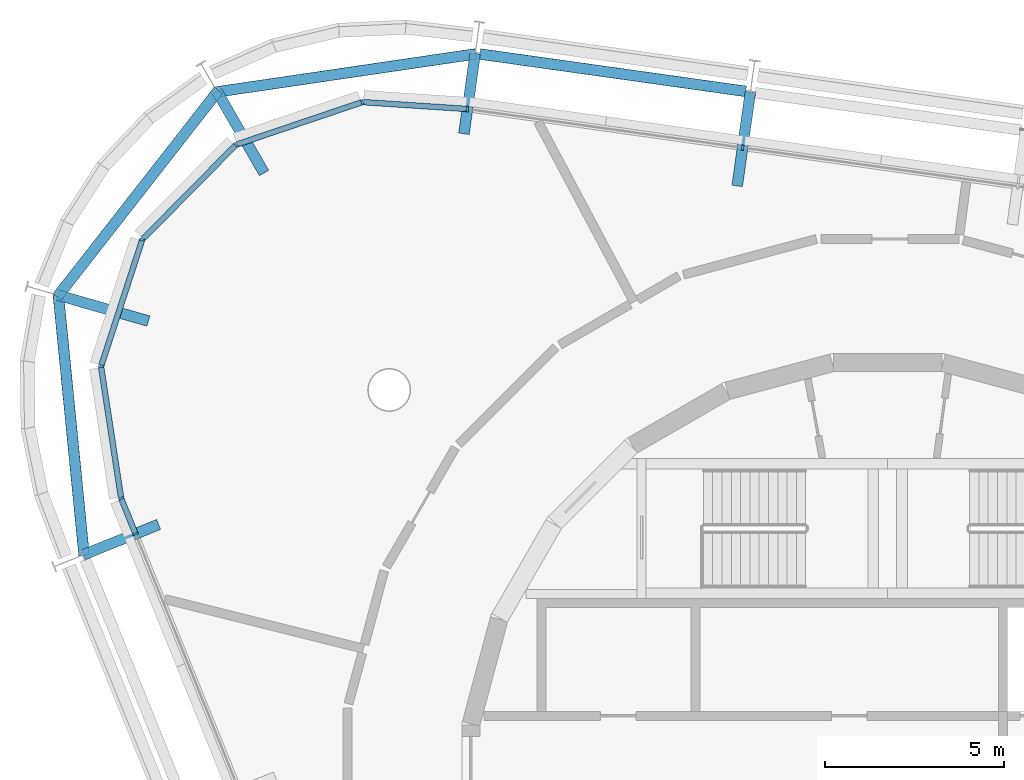
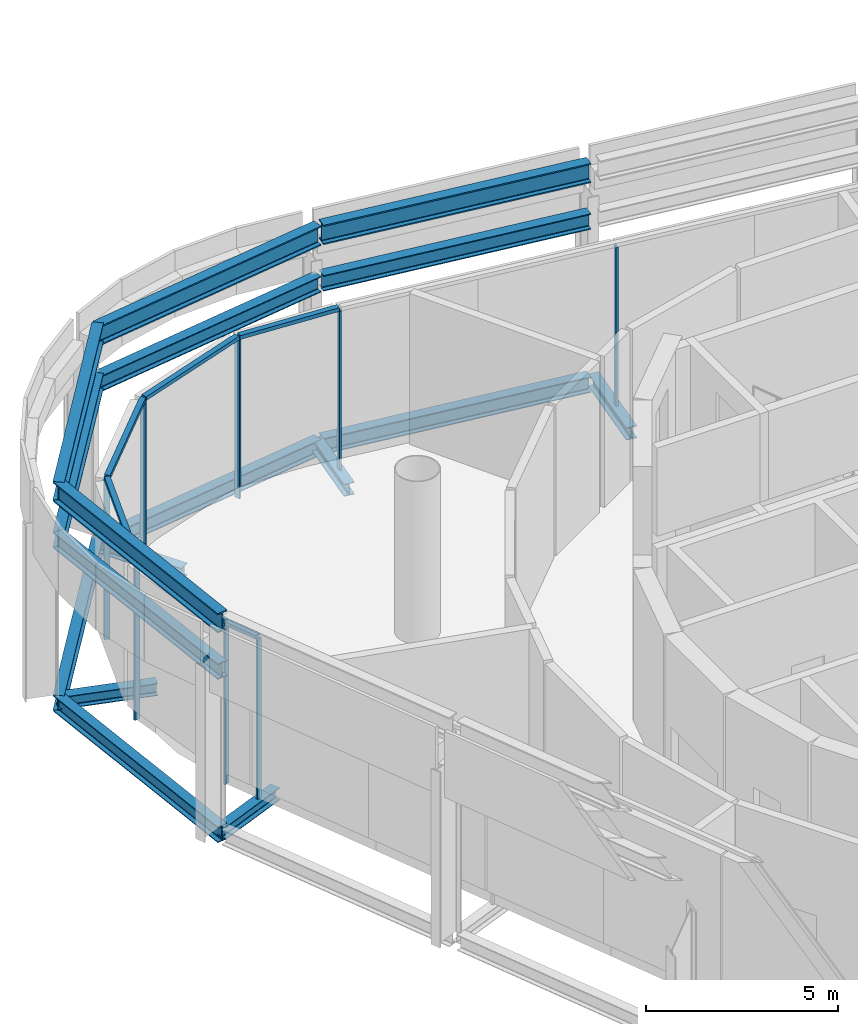
# One storey, part 5 of 15: 17 beams, 14 members, 3 elements without a shape of their own.
"""IFC4 building model written with IfcOpenShell, lengths in metres."""

from ifc_helpers import new_model, si_unit, direction, frame, origin, origin_2d, place, context, subcontext, project, spatial, rectangle, i_section, extrude, material, layer, layer_set, material_profile, profile_set, type_object, element, aggregate, save


model = new_model("IFC4")

# Units and contexts
model_context = context("Model", 3, precision=1e-05, world=origin(), true_north=direction((0.0, 1.0)))
body_context = subcontext(model_context, "Body", "Model", "MODEL_VIEW")
ifc_project = project(units=[si_unit("LENGTHUNIT", "METRE"), si_unit("AREAUNIT", "SQUARE_METRE"), si_unit("VOLUMEUNIT", "CUBIC_METRE"), si_unit("PLANEANGLEUNIT", "RADIAN"), si_unit("MASSUNIT", "GRAM", prefix="KILO")], contexts=[model_context])

# Site, building, storey
site_placement = place(None, origin())
site = spatial("IfcSite", under=ifc_project, at=site_placement, CompositionType="ELEMENT")
building_placement = place(site_placement, origin())
building = spatial("IfcBuilding", under=site, at=building_placement, Name="Spindle Arch Residences", CompositionType="ELEMENT")
storey_placement = place(building_placement, frame((0.0, 0.0, 366.199951171875)))
storey = spatial("IfcBuildingStorey", under=building, at=storey_placement, Name="L94", CompositionType="ELEMENT", Elevation=366.199951171875)

# Curtain wall, member
ifc_material_1 = material(Name="Aluminium bronze unitised frame with tinted glass", Category="aluminium")
ifc_layer = layer(ifc_material_1, 0.159912109375)
ifc_layer_set = layer_set([ifc_layer], Name="CW-F crown plant glazed wall")
curtain_wall_type = type_object("IfcCurtainWallType", Name="CW-F crown plant glazed wall", PredefinedType="NOTDEFINED", material=ifc_layer_set)
curtain_wall_1_placement = place(storey_placement, origin())
curtain_wall_1 = element("IfcCurtainWall", 1, at=curtain_wall_1_placement, inside=storey, type_object=curtain_wall_type, Name="CW-F L94 run 2", PredefinedType="NOTDEFINED")
ifc_material_2 = material(Name="Aluminium bronze anodised mullion", Category="aluminium")
ifc_material_profile_1 = material_profile(ifc_material_2, rectangle(XDim=0.159912109375, YDim=0.06005859375, at=origin_2d()), Name="MU 60x160")
ifc_profile_set_1 = profile_set([ifc_material_profile_1], Name="Aluminium bronze anodised mullion")
member_type_1 = type_object("IfcMemberType", Name="Bronze mullion 60x160", PredefinedType="MULLION", material=ifc_profile_set_1)
member_1_placement = place(storey_placement, frame((-4.0537109375, 17.654296875, -0.3798828125), z_axis=(0.0, 0.0, 1.0), x_axis=(-0.13917310096, -0.990268068742, 0.0)))
member_1 = element("IfcMember", 2, at=member_1_placement, type_object=member_type_1, Name="CW-F mullion 07", PredefinedType="MULLION", context=body_context, shape_type="SweptSolid", body=[
    extrude(rectangle(XDim=0.159912109375, YDim=0.06005859375, at=origin_2d()), origin(), (0.0, 0.0, 1.0), 5.059814453125),
])
aggregate(curtain_wall_1, [member_1])

# Curtain wall, members
curtain_wall_2_placement = place(storey_placement, origin())
curtain_wall_2 = element("IfcCurtainWall", 3, at=curtain_wall_2_placement, inside=storey, type_object=curtain_wall_type, Name="CW-F L94 run 3", PredefinedType="NOTDEFINED")
member_2_placement = place(storey_placement, frame((-11.74365234375, 18.735107421875, -0.3798828125), z_axis=(0.0, 0.0, 1.0), x_axis=(-0.065509719587, -0.99785193122, 0.0)))
member_2 = element("IfcMember", 4, at=member_2_placement, type_object=member_type_1, Name="CW-F mullion 00", PredefinedType="MULLION", context=body_context, shape_type="SweptSolid", body=[
    extrude(rectangle(XDim=0.159912109375, YDim=0.06005859375, at=origin_2d()), origin(), (0.0, 0.0, 1.0), 5.059814453125),
])
member_3_placement = place(storey_placement, frame((-14.6806640625, 18.927978515625, -0.3798828125), z_axis=(0.0, 0.0, 1.0), x_axis=(0.320061877599, -0.947396640541, 0.0)))
member_3 = element("IfcMember", 5, at=member_3_placement, type_object=member_type_1, Name="CW-F mullion 01", PredefinedType="MULLION", context=body_context, shape_type="SweptSolid", body=[
    extrude(rectangle(XDim=0.159912109375, YDim=0.06005859375, at=origin_2d()), origin(), (0.0, 0.0, 1.0), 5.059814453125),
])
member_4_placement = place(storey_placement, frame((-18.211181640625, 17.735107421875, -0.3798828125), z_axis=(0.0, 0.0, 1.0), x_axis=(0.711208574043, -0.702981055369, 0.0)))
member_4 = element("IfcMember", 6, at=member_4_placement, type_object=member_type_1, Name="CW-F mullion 02", PredefinedType="MULLION", context=body_context, shape_type="SweptSolid", body=[
    extrude(rectangle(XDim=0.159912109375, YDim=0.06005859375, at=origin_2d()), origin(), (0.0, 0.0, 1.0), 5.059814453125),
])
member_5_placement = place(storey_placement, frame((-20.8310546875, 15.084716796875, -0.3798828125), z_axis=(0.0, 0.0, 1.0), x_axis=(0.951056517498, -0.309016990673, 0.0)))
member_5 = element("IfcMember", 7, at=member_5_placement, type_object=member_type_1, Name="CW-F mullion 03", PredefinedType="MULLION", context=body_context, shape_type="SweptSolid", body=[
    extrude(rectangle(XDim=0.159912109375, YDim=0.06005859375, at=origin_2d()), origin(), (0.0, 0.0, 1.0), 5.059814453125),
])
member_6_placement = place(storey_placement, frame((-21.982666015625, 11.540283203125, -0.3798828125), z_axis=(0.0, 0.0, 1.0), x_axis=(0.988581718471, 0.150685718984, 0.0)))
member_6 = element("IfcMember", 8, at=member_6_placement, type_object=member_type_1, Name="CW-F mullion 04", PredefinedType="MULLION", context=body_context, shape_type="SweptSolid", body=[
    extrude(rectangle(XDim=0.159912109375, YDim=0.06005859375, at=origin_2d()), origin(), (0.0, 0.0, 1.0), 5.059814453125),
])
member_7_placement = place(storey_placement, frame((-21.421142578125, 7.856201171875, -0.3798828125), z_axis=(0.0, 0.0, 1.0), x_axis=(0.927183854567, 0.374606593416, 0.0)))
member_7 = element("IfcMember", 9, at=member_7_placement, type_object=member_type_1, Name="CW-F mullion 05", PredefinedType="MULLION", context=body_context, shape_type="SweptSolid", body=[
    extrude(rectangle(XDim=0.159912109375, YDim=0.06005859375, at=origin_2d()), origin(), (0.0, 0.0, 1.0), 5.059814453125),
])

# Curtain wall, member
curtain_wall_3_placement = place(storey_placement, origin())
curtain_wall_3 = element("IfcCurtainWall", 10, at=curtain_wall_3_placement, inside=storey, type_object=curtain_wall_type, Name="CW-F L94 run 4", PredefinedType="NOTDEFINED")
member_8_placement = place(storey_placement, frame((-21.019775390625, 6.862548828125, -0.3798828125), z_axis=(0.0, 0.0, 1.0), x_axis=(0.927183854567, 0.374606593416, 0.0)))
member_8 = element("IfcMember", 11, at=member_8_placement, type_object=member_type_1, Name="CW-F mullion 11", PredefinedType="MULLION", context=body_context, shape_type="SweptSolid", body=[
    extrude(rectangle(XDim=0.159912109375, YDim=0.06005859375, at=origin_2d()), origin(), (0.0, 0.0, 1.0), 5.059814453125),
])
aggregate(curtain_wall_3, [member_8])

# Member
ifc_material_3 = material(Name="Aluminium bronze anodised transom", Category="aluminium")
ifc_material_profile_2 = material_profile(ifc_material_3, rectangle(XDim=0.159912109375, YDim=0.1201171875, at=origin_2d()), Name="TR 120x160")
ifc_profile_set_2 = profile_set([ifc_material_profile_2], Name="Aluminium bronze anodised transom")
member_type_2 = type_object("IfcMemberType", Name="Bronze transom 120x160", PredefinedType="USERDEFINED", material=ifc_profile_set_2)
member_9_placement = place(storey_placement, frame((-11.773681640625, 18.737060546875, 4.739990234375), z_axis=(-0.997849873477, 0.065541055844, 0.0), x_axis=(-0.065541055844, -0.997849873477, 0.0)))
member_9 = element("IfcMember", 12, at=member_9_placement, type_object=member_type_2, Name="CW-F transom 00", ObjectType="TRANSOM", PredefinedType="USERDEFINED", context=body_context, shape_type="SweptSolid", body=[
    extrude(rectangle(XDim=0.159912109375, YDim=0.1201171875, at=origin_2d()), origin(), (0.0, 0.0, 1.0), 2.883056640625),
])

member_10_placement = place(storey_placement, frame((-14.708984375, 18.91845703125, 4.739990234375), z_axis=(-0.94739716915, -0.320060312889, 0.0), x_axis=(0.320060312889, -0.94739716915, 0.0)))
member_10 = element("IfcMember", 13, at=member_10_placement, type_object=member_type_2, Name="CW-F transom 01", ObjectType="TRANSOM", PredefinedType="USERDEFINED", context=body_context, shape_type="SweptSolid", body=[
    extrude(rectangle(XDim=0.159912109375, YDim=0.1201171875, at=origin_2d()), origin(), (0.0, 0.0, 1.0), 3.666748046875),
])

member_11_placement = place(storey_placement, frame((-18.232421875, 17.7138671875, 4.739990234375), z_axis=(-0.702966683093, -0.711222779769, 0.0), x_axis=(0.711222779769, -0.702966683093, 0.0)))
member_11 = element("IfcMember", 14, at=member_11_placement, type_object=member_type_2, Name="CW-F transom 02", ObjectType="TRANSOM", PredefinedType="USERDEFINED", context=body_context, shape_type="SweptSolid", body=[
    extrude(rectangle(XDim=0.159912109375, YDim=0.1201171875, at=origin_2d()), origin(), (0.0, 0.0, 1.0), 3.666748046875),
])

member_12_placement = place(storey_placement, frame((-20.84033203125, 15.05615234375, 4.739990234375), z_axis=(-0.309007783623, -0.951059509001, 0.0), x_axis=(0.951059509001, -0.309007783623, 0.0)))
member_12 = element("IfcMember", 15, at=member_12_placement, type_object=member_type_2, Name="CW-F transom 03", ObjectType="TRANSOM", PredefinedType="USERDEFINED", context=body_context, shape_type="SweptSolid", body=[
    extrude(rectangle(XDim=0.159912109375, YDim=0.1201171875, at=origin_2d()), origin(), (0.0, 0.0, 1.0), 3.666748046875),
])

member_13_placement = place(storey_placement, frame((-21.978271484375, 11.5107421875, 4.739990234375), z_axis=(0.150671164407, -0.988583936859, 0.0), x_axis=(0.988583936859, 0.150671164407, 0.0)))
member_13 = element("IfcMember", 16, at=member_13_placement, type_object=member_type_2, Name="CW-F transom 04", ObjectType="TRANSOM", PredefinedType="USERDEFINED", context=body_context, shape_type="SweptSolid", body=[
    extrude(rectangle(XDim=0.159912109375, YDim=0.1201171875, at=origin_2d()), origin(), (0.0, 0.0, 1.0), 3.666748046875),
])

member_14_placement = place(storey_placement, frame((-21.409912109375, 7.828369140625, 4.739990234375), z_axis=(0.374550833754, -0.927206380982, 0.0), x_axis=(0.927206380982, 0.374550833754, 0.0)))
member_14 = element("IfcMember", 17, at=member_14_placement, type_object=member_type_2, Name="CW-F transom 05", ObjectType="TRANSOM", PredefinedType="USERDEFINED", context=body_context, shape_type="SweptSolid", body=[
    extrude(rectangle(XDim=0.159912109375, YDim=0.1201171875, at=origin_2d()), origin(), (0.0, 0.0, 1.0), 1.01171875),
])

aggregate(curtain_wall_2, [member_2, member_9, member_3, member_10, member_4, member_11, member_5, member_12, member_6, member_13, member_7, member_14])

# Beams
ifc_material_4 = material(Name="Steel S460ML, intumescent coating R 120", Category="steel")
ifc_material_profile_3 = material_profile(ifc_material_4, i_section(OverallWidth=0.304931640625, OverallDepth=0.6201171875, WebThickness=0.02099609375, FlangeThickness=0.0400390625, FilletRadius=0.027099609375, at=origin_2d()), Name="HEM 600")
ifc_profile_set_3 = profile_set([ifc_material_profile_3], Name="Steel S460ML, intumescent coating R 120")
beam_type_1 = type_object("IfcBeamType", Name="Crown ring beam HEM 600", PredefinedType="BEAM", material=ifc_profile_set_3)
beam_1_placement = place(storey_placement, frame((-3.964111328125, 19.227294921875, 6.090087890625), z_axis=(-0.990270241249, 0.13915764189, 0.0), x_axis=(-0.13915764189, -0.990270241249, 0.0)))
element("IfcBeam", 18, at=beam_1_placement, inside=storey, type_object=beam_type_1, Name="Crown ring beam L94 8", PredefinedType="BEAM", context=body_context, shape_type="SweptSolid", body=[
    extrude(i_section(OverallWidth=0.304931640625, OverallDepth=0.6201171875, WebThickness=0.02099609375, FlangeThickness=0.0400390625, FilletRadius=0.027099609375, at=origin_2d()), origin(), (0.0, 0.0, 1.0), 7.50537109375),
])
beam_2_placement = place(storey_placement, frame((-11.505615234375, 20.27490234375, 6.090087890625), z_axis=(-0.989384491355, -0.145321465266, 0.0), x_axis=(0.145321465266, -0.989384491355, 0.0)))
element("IfcBeam", 19, at=beam_2_placement, inside=storey, type_object=beam_type_1, Name="Crown ring beam L94 9", PredefinedType="BEAM", context=body_context, shape_type="SweptSolid", body=[
    extrude(i_section(OverallWidth=0.304931640625, OverallDepth=0.6201171875, WebThickness=0.02099609375, FlangeThickness=0.0400390625, FilletRadius=0.027099609375, at=origin_2d()), origin(), (0.0, 0.0, 1.0), 7.333251953125),
])
beam_3_placement = place(storey_placement, frame((-18.700927734375, 19.252685546875, 6.090087890625), z_axis=(-0.615671888322, -0.788002617971, 0.0), x_axis=(0.788002617971, -0.615671888322, 0.0)))
element("IfcBeam", 20, at=beam_3_placement, inside=storey, type_object=beam_type_1, Name="Crown ring beam L94 10", PredefinedType="BEAM", context=body_context, shape_type="SweptSolid", body=[
    extrude(i_section(OverallWidth=0.304931640625, OverallDepth=0.6201171875, WebThickness=0.02099609375, FlangeThickness=0.0400390625, FilletRadius=0.027099609375, at=origin_2d()), origin(), (0.0, 0.0, 1.0), 7.31591796875),
])
beam_4_placement = place(storey_placement, frame((-23.177490234375, 13.556640625, 6.090087890625), z_axis=(0.098376359096, -0.995149281249, 0.0), x_axis=(0.995149281249, 0.098376359096, 0.0)))
element("IfcBeam", 21, at=beam_4_placement, inside=storey, type_object=beam_type_1, Name="Crown ring beam L94 11", PredefinedType="BEAM", context=body_context, shape_type="SweptSolid", body=[
    extrude(i_section(OverallWidth=0.304931640625, OverallDepth=0.6201171875, WebThickness=0.02099609375, FlangeThickness=0.0400390625, FilletRadius=0.027099609375, at=origin_2d()), origin(), (0.0, 0.0, 1.0), 7.33349609375),
])
ifc_material_5 = material(Name="Steel S460ML, intumescent coating R 120", Category="steel")
ifc_material_profile_4 = material_profile(ifc_material_5, i_section(OverallWidth=0.300048828125, OverallDepth=0.5, WebThickness=0.014404296875, FlangeThickness=0.028076171875, FilletRadius=0.027099609375, at=origin_2d()), Name="HEB 500")
ifc_profile_set_4 = profile_set([ifc_material_profile_4], Name="Steel S460ML, intumescent coating R 120")
beam_type_2 = type_object("IfcBeamType", Name="Exoskeleton edge beam HEB 500", PredefinedType="BEAM", material=ifc_profile_set_4)
beam_5_placement = place(storey_placement, frame((-3.964111328125, 19.227294921875, -0.6298828125), z_axis=(-0.990270241249, 0.13915764189, 0.0), x_axis=(-0.13915764189, -0.990270241249, 0.0)))
element("IfcBeam", 22, at=beam_5_placement, inside=storey, type_object=beam_type_2, Name="Exoskeleton edge beam 8", PredefinedType="BEAM", context=body_context, shape_type="SweptSolid", body=[
    extrude(i_section(OverallWidth=0.300048828125, OverallDepth=0.5, WebThickness=0.014404296875, FlangeThickness=0.028076171875, FilletRadius=0.027099609375, at=origin_2d()), origin(), (0.0, 0.0, 1.0), 7.50537109375),
])
beam_6_placement = place(storey_placement, frame((-11.505615234375, 20.27490234375, -0.6298828125), z_axis=(-0.989384491355, -0.145321465266, 0.0), x_axis=(0.145321465266, -0.989384491355, 0.0)))
element("IfcBeam", 23, at=beam_6_placement, inside=storey, type_object=beam_type_2, Name="Exoskeleton edge beam 9", PredefinedType="BEAM", context=body_context, shape_type="SweptSolid", body=[
    extrude(i_section(OverallWidth=0.300048828125, OverallDepth=0.5, WebThickness=0.014404296875, FlangeThickness=0.028076171875, FilletRadius=0.027099609375, at=origin_2d()), origin(), (0.0, 0.0, 1.0), 7.333251953125),
])
beam_7_placement = place(storey_placement, frame((-18.700927734375, 19.252685546875, -0.6298828125), z_axis=(-0.615671888322, -0.788002617971, 0.0), x_axis=(0.788002617971, -0.615671888322, 0.0)))
element("IfcBeam", 24, at=beam_7_placement, inside=storey, type_object=beam_type_2, Name="Exoskeleton edge beam 10", PredefinedType="BEAM", context=body_context, shape_type="SweptSolid", body=[
    extrude(i_section(OverallWidth=0.300048828125, OverallDepth=0.5, WebThickness=0.014404296875, FlangeThickness=0.028076171875, FilletRadius=0.027099609375, at=origin_2d()), origin(), (0.0, 0.0, 1.0), 7.31591796875),
])
beam_8_placement = place(storey_placement, frame((-23.177490234375, 13.556640625, -0.6298828125), z_axis=(0.098376359096, -0.995149281249, 0.0), x_axis=(0.995149281249, 0.098376359096, 0.0)))
element("IfcBeam", 25, at=beam_8_placement, inside=storey, type_object=beam_type_2, Name="Exoskeleton edge beam 11", PredefinedType="BEAM", context=body_context, shape_type="SweptSolid", body=[
    extrude(i_section(OverallWidth=0.300048828125, OverallDepth=0.5, WebThickness=0.014404296875, FlangeThickness=0.028076171875, FilletRadius=0.027099609375, at=origin_2d()), origin(), (0.0, 0.0, 1.0), 7.33349609375),
])
beam_9_placement = place(storey_placement, frame((-3.964111328125, 19.227294921875, 4.550048828125), z_axis=(-0.990270241249, 0.13915764189, 0.0), x_axis=(-0.13915764189, -0.990270241249, 0.0)))
element("IfcBeam", 26, at=beam_9_placement, inside=storey, type_object=beam_type_2, Name="Exoskeleton edge beam L94 8", PredefinedType="BEAM", context=body_context, shape_type="SweptSolid", body=[
    extrude(i_section(OverallWidth=0.300048828125, OverallDepth=0.5, WebThickness=0.014404296875, FlangeThickness=0.028076171875, FilletRadius=0.027099609375, at=origin_2d()), origin(), (0.0, 0.0, 1.0), 7.50537109375),
])
beam_10_placement = place(storey_placement, frame((-11.505615234375, 20.27490234375, 4.550048828125), z_axis=(-0.989384491355, -0.145321465266, 0.0), x_axis=(0.145321465266, -0.989384491355, 0.0)))
element("IfcBeam", 27, at=beam_10_placement, inside=storey, type_object=beam_type_2, Name="Exoskeleton edge beam L94 9", PredefinedType="BEAM", context=body_context, shape_type="SweptSolid", body=[
    extrude(i_section(OverallWidth=0.300048828125, OverallDepth=0.5, WebThickness=0.014404296875, FlangeThickness=0.028076171875, FilletRadius=0.027099609375, at=origin_2d()), origin(), (0.0, 0.0, 1.0), 7.333251953125),
])
beam_11_placement = place(storey_placement, frame((-18.700927734375, 19.252685546875, 4.550048828125), z_axis=(-0.615671888322, -0.788002617971, 0.0), x_axis=(0.788002617971, -0.615671888322, 0.0)))
element("IfcBeam", 28, at=beam_11_placement, inside=storey, type_object=beam_type_2, Name="Exoskeleton edge beam L94 10", PredefinedType="BEAM", context=body_context, shape_type="SweptSolid", body=[
    extrude(i_section(OverallWidth=0.300048828125, OverallDepth=0.5, WebThickness=0.014404296875, FlangeThickness=0.028076171875, FilletRadius=0.027099609375, at=origin_2d()), origin(), (0.0, 0.0, 1.0), 7.31591796875),
])
beam_12_placement = place(storey_placement, frame((-23.177490234375, 13.556640625, 4.550048828125), z_axis=(0.098376359096, -0.995149281249, 0.0), x_axis=(0.995149281249, 0.098376359096, 0.0)))
element("IfcBeam", 29, at=beam_12_placement, inside=storey, type_object=beam_type_2, Name="Exoskeleton edge beam L94 11", PredefinedType="BEAM", context=body_context, shape_type="SweptSolid", body=[
    extrude(i_section(OverallWidth=0.300048828125, OverallDepth=0.5, WebThickness=0.014404296875, FlangeThickness=0.028076171875, FilletRadius=0.027099609375, at=origin_2d()), origin(), (0.0, 0.0, 1.0), 7.33349609375),
])
ifc_material_6 = material(Name="Steel S460ML, intumescent coating R 120", Category="steel")
ifc_material_profile_5 = material_profile(ifc_material_6, i_section(OverallWidth=0.300048828125, OverallDepth=0.389892578125, WebThickness=0.010986328125, FlangeThickness=0.01904296875, FilletRadius=0.027099609375, at=origin_2d()), Name="HEA 400")
ifc_profile_set_5 = profile_set([ifc_material_profile_5], Name="Steel S460ML, intumescent coating R 120")
beam_type_3 = type_object("IfcBeamType", Name="Floor outrigger HEA 400", PredefinedType="BEAM", material=ifc_profile_set_5)
beam_13_placement = place(storey_placement, frame((-3.835205078125, 19.208984375, -0.574951171875), z_axis=(-0.139215304089, -0.990262136562, 0.0), x_axis=(0.990262136562, -0.139215304089, 0.0)))
element("IfcBeam", 30, at=beam_13_placement, inside=storey, type_object=beam_type_3, Name="Floor outrigger 8", PredefinedType="BEAM", context=body_context, shape_type="SweptSolid", body=[
    extrude(i_section(OverallWidth=0.300048828125, OverallDepth=0.389892578125, WebThickness=0.010986328125, FlangeThickness=0.01904296875, FilletRadius=0.027099609375, at=origin_2d()), origin(), (0.0, 0.0, 1.0), 2.64990234375),
])
beam_14_placement = place(storey_placement, frame((-11.525146484375, 20.289794921875, -0.574951171875), z_axis=(-0.139236695956, -0.990259128965, 0.0), x_axis=(0.990259128965, -0.139236695956, 0.0)))
element("IfcBeam", 31, at=beam_14_placement, inside=storey, type_object=beam_type_3, Name="Floor outrigger 9", PredefinedType="BEAM", context=body_context, shape_type="SweptSolid", body=[
    extrude(i_section(OverallWidth=0.300048828125, OverallDepth=0.389892578125, WebThickness=0.010986328125, FlangeThickness=0.01904296875, FilletRadius=0.027099609375, at=origin_2d()), origin(), (0.0, 0.0, 1.0), 2.26904296875),
])
beam_15_placement = place(storey_placement, frame((-18.750732421875, 19.2421875, -0.574951171875), z_axis=(0.49963737375, -0.866234664945, 0.0), x_axis=(0.866234664945, 0.49963737375, 0.0)))
element("IfcBeam", 32, at=beam_15_placement, inside=storey, type_object=beam_type_3, Name="Floor outrigger 10", PredefinedType="BEAM", context=body_context, shape_type="SweptSolid", body=[
    extrude(i_section(OverallWidth=0.300048828125, OverallDepth=0.389892578125, WebThickness=0.010986328125, FlangeThickness=0.01904296875, FilletRadius=0.027099609375, at=origin_2d()), origin(), (0.0, 0.0, 1.0), 2.64990234375),
])
beam_16_placement = place(storey_placement, frame((-23.20703125, 13.53857421875, -0.574951171875), z_axis=(0.961395217741, -0.275171283575, 0.0), x_axis=(0.275171283575, 0.961395217741, 0.0)))
element("IfcBeam", 33, at=beam_16_placement, inside=storey, type_object=beam_type_3, Name="Floor outrigger 11", PredefinedType="BEAM", context=body_context, shape_type="SweptSolid", body=[
    extrude(i_section(OverallWidth=0.300048828125, OverallDepth=0.389892578125, WebThickness=0.010986328125, FlangeThickness=0.01904296875, FilletRadius=0.027099609375, at=origin_2d()), origin(), (0.0, 0.0, 1.0), 2.650146484375),
])
beam_17_placement = place(storey_placement, frame((-22.475341796875, 6.2744140625, -0.574951171875), z_axis=(0.927202315329, 0.374560898185, 0.0), x_axis=(-0.374560898185, 0.927202315329, 0.0)))
element("IfcBeam", 34, at=beam_17_placement, inside=storey, type_object=beam_type_3, Name="Floor outrigger 12", PredefinedType="BEAM", context=body_context, shape_type="SweptSolid", body=[
    extrude(i_section(OverallWidth=0.300048828125, OverallDepth=0.389892578125, WebThickness=0.010986328125, FlangeThickness=0.01904296875, FilletRadius=0.027099609375, at=origin_2d()), origin(), (0.0, 0.0, 1.0), 2.26904296875),
])

save(model, "model.ifc")
